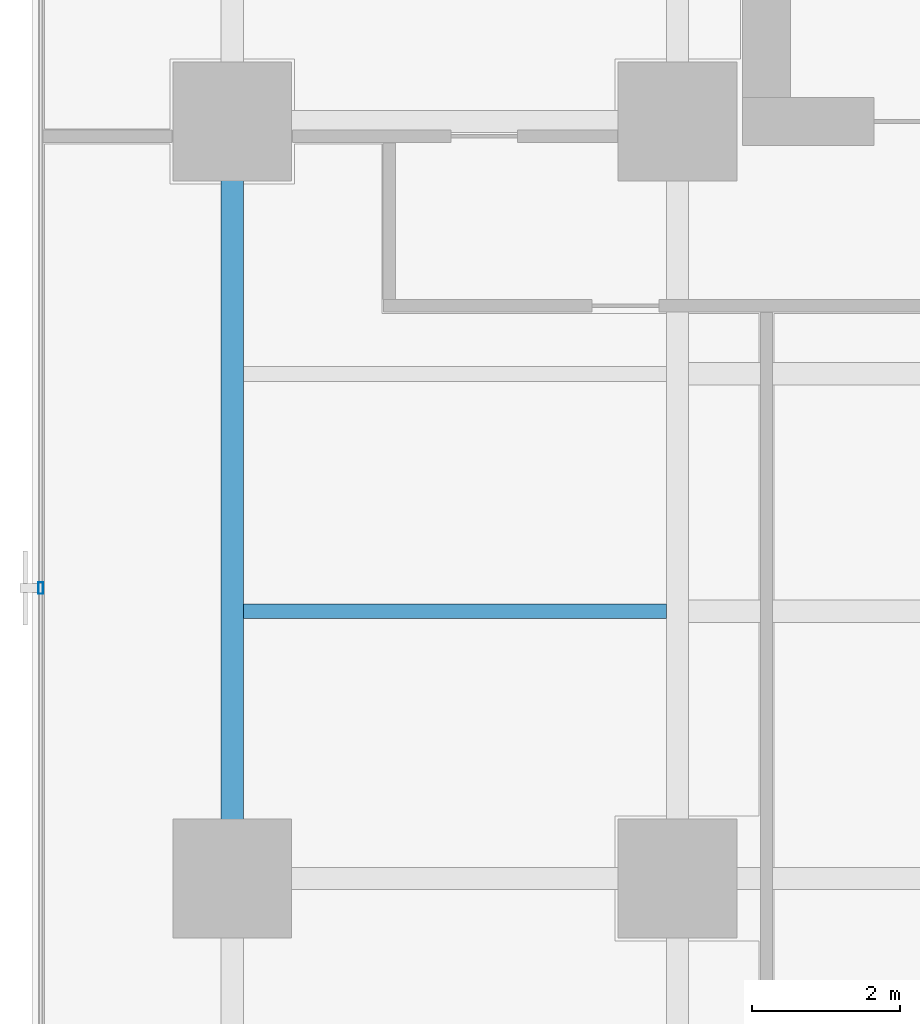
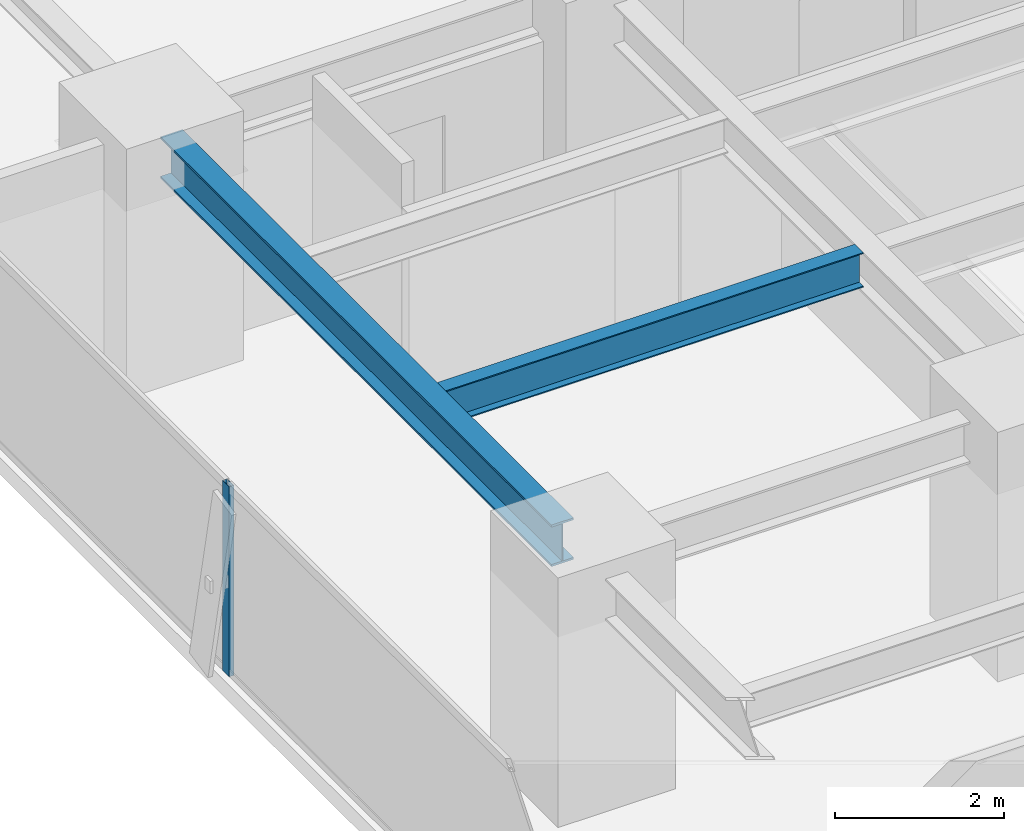
# One storey, part 10 of 37: 2 beams, 1 member, 1 element without a shape of its own.
"""IFC4 building model written with IfcOpenShell, lengths in metres."""

from ifc_helpers import new_model, si_unit, direction, frame, origin, origin_2d, place, context, subcontext, project, spatial, hollow_rectangle, i_section, extrude, source, transform, mapped, material, layer, layer_set, material_profile, profile_set, type_object, element, aggregate, save


model = new_model("IFC4")

# Units and contexts
model_context = context("Model", 3, precision=1e-05, world=origin(), true_north=direction((0.0, 1.0)))
body_context = subcontext(model_context, "Body", "Model", "MODEL_VIEW")
ifc_project = project(units=[si_unit("LENGTHUNIT", "METRE"), si_unit("AREAUNIT", "SQUARE_METRE"), si_unit("VOLUMEUNIT", "CUBIC_METRE"), si_unit("PLANEANGLEUNIT", "RADIAN"), si_unit("MASSUNIT", "GRAM", prefix="KILO")], contexts=[model_context])

# Site, building, storey
site_placement = place(None, origin())
site = spatial("IfcSite", under=ifc_project, at=site_placement, CompositionType="ELEMENT")
building_placement = place(site_placement, origin())
building = spatial("IfcBuilding", under=site, at=building_placement, Name="Sumidabori Civic Tower", CompositionType="ELEMENT")
storey_placement = place(building_placement, frame((0.0, 0.0, 110.0)))
storey = spatial("IfcBuildingStorey", under=building, at=storey_placement, Name="L28", CompositionType="ELEMENT", Elevation=110.0)

# Beams
ifc_material_1 = material(Name="Steel SN490", Category="steel")
ifc_material_profile_1 = material_profile(ifc_material_1, i_section(OverallWidth=0.300048828125, OverallDepth=0.60009765625, WebThickness=0.015380859375, FlangeThickness=0.030029296875, at=origin_2d()), Name="HE 600 B")
ifc_profile_set_1 = profile_set([ifc_material_profile_1], Name="Steel SN490")
beam_type_1 = type_object("IfcBeamType", Name="BM-GIRD-600", PredefinedType="BEAM", material=ifc_profile_set_1)
shared_shape_1 = source(origin(), body_context, "Body", "SweptSolid", [
    extrude(i_section(OverallWidth=0.300048828125, OverallDepth=0.60009765625, WebThickness=0.015380859375, FlangeThickness=0.030029296875, at=origin_2d()), origin(), (0.0, 0.0, 1.0), 9.239990234375),
])
beam_1_placement = place(storey_placement, frame((-22.800048828125, 0.47998046875, 3.06005859375), z_axis=(0.0, 1.0, 0.0), x_axis=(-1.0, 0.0, 0.0)))
element("IfcBeam", 1, at=beam_1_placement, inside=storey, type_object=beam_type_1, Name="Primary Girder L28 GY-23", PredefinedType="BEAM", context=body_context, shape_type="MappedRepresentation", body=[
    mapped(shared_shape_1, transform((0.0, 0.0, 0.0), x_axis=(1.0, 0.0, 0.0), y_axis=(0.0, 1.0, 0.0), z_axis=(0.0, 0.0, 1.0), scale=1.0)),
])
ifc_material_profile_2 = material_profile(ifc_material_1, i_section(OverallWidth=0.199951171875, OverallDepth=0.5, WebThickness=0.01025390625, FlangeThickness=0.01611328125, at=origin_2d()), Name="IPE 500")
ifc_profile_set_2 = profile_set([ifc_material_profile_2], Name="Steel SN490")
beam_type_2 = type_object("IfcBeamType", Name="BM-JST-500", PredefinedType="JOIST", material=ifc_profile_set_2)
shared_shape_2 = source(origin(), body_context, "Body", "SweptSolid", [
    extrude(i_section(OverallWidth=0.199951171875, OverallDepth=0.5, WebThickness=0.01025390625, FlangeThickness=0.01611328125, at=origin_2d()), origin(), (0.0, 0.0, 1.0), 5.699951171875),
])
beam_2_placement = place(storey_placement, frame((-22.64990234375, 3.60009765625, 3.110107421875), z_axis=(1.0, 0.0, 0.0), x_axis=(0.0, 1.0, 0.0)))
element("IfcBeam", 2, at=beam_2_placement, inside=storey, type_object=beam_type_2, Name="Outer Bay Floor Joist L28 JSTO-47", PredefinedType="JOIST", context=body_context, shape_type="MappedRepresentation", body=[
    mapped(shared_shape_2, transform((0.0, 0.0, 0.0), x_axis=(1.0, 0.0, 0.0), y_axis=(0.0, 1.0, 0.0), z_axis=(0.0, 0.0, 1.0), scale=1.0)),
])

# Curtain wall, member
ifc_material_2 = material(Name="Anodised Bronze Aluminium AW-6063-T6", Category="aluminium")
ifc_layer = layer(ifc_material_2, 0.179931640625, Name="Anodised Bronze Aluminium AW-6063-T6")
ifc_layer_set = layer_set([ifc_layer], Name="Anodised Bronze Aluminium AW-6063-T6")
curtain_wall_type = type_object("IfcCurtainWallType", Name="CW-SYS-3", PredefinedType="NOTDEFINED", material=ifc_layer_set)
curtain_wall_placement = place(storey_placement, origin())
curtain_wall = element("IfcCurtainWall", 3, at=curtain_wall_placement, inside=storey, type_object=curtain_wall_type, Name="Curtain Wall CW:L28:R10", PredefinedType="NOTDEFINED")
ifc_material_profile_3 = material_profile(ifc_material_2, hollow_rectangle(XDim=0.06494140625, YDim=0.159912109375, WallThickness=0.0048828125, at=origin_2d()), Name="ALU MULLION 160x65")
ifc_profile_set_3 = profile_set([ifc_material_profile_3], Name="Anodised Bronze Aluminium AW-6063-T6")
member_type = type_object("IfcMemberType", Name="CW-MUL-160", PredefinedType="MULLION", material=ifc_profile_set_3)
shared_shape_3 = source(origin(), body_context, "Body", "SweptSolid", [
    extrude(hollow_rectangle(XDim=0.06494140625, YDim=0.159912109375, WallThickness=0.0048828125, at=origin_2d()), origin(), (0.0, 0.0, 1.0), 2.739990234375),
])
member_placement = place(storey_placement, frame((-25.3798828125, 3.9140625, 0.0), z_axis=(0.0, 0.0, 1.0), x_axis=(1.0, 0.0, 0.0)))
member = element("IfcMember", 4, at=member_placement, type_object=member_type, Name="CW-3 mullion 3", PredefinedType="MULLION", context=body_context, shape_type="MappedRepresentation", body=[
    mapped(shared_shape_3, transform((0.0, 0.0, 0.0), x_axis=(1.0, 0.0, 0.0), y_axis=(0.0, 1.0, 0.0), z_axis=(0.0, 0.0, 1.0), scale=1.0)),
])
aggregate(curtain_wall, [member])

save(model, "model.ifc")
